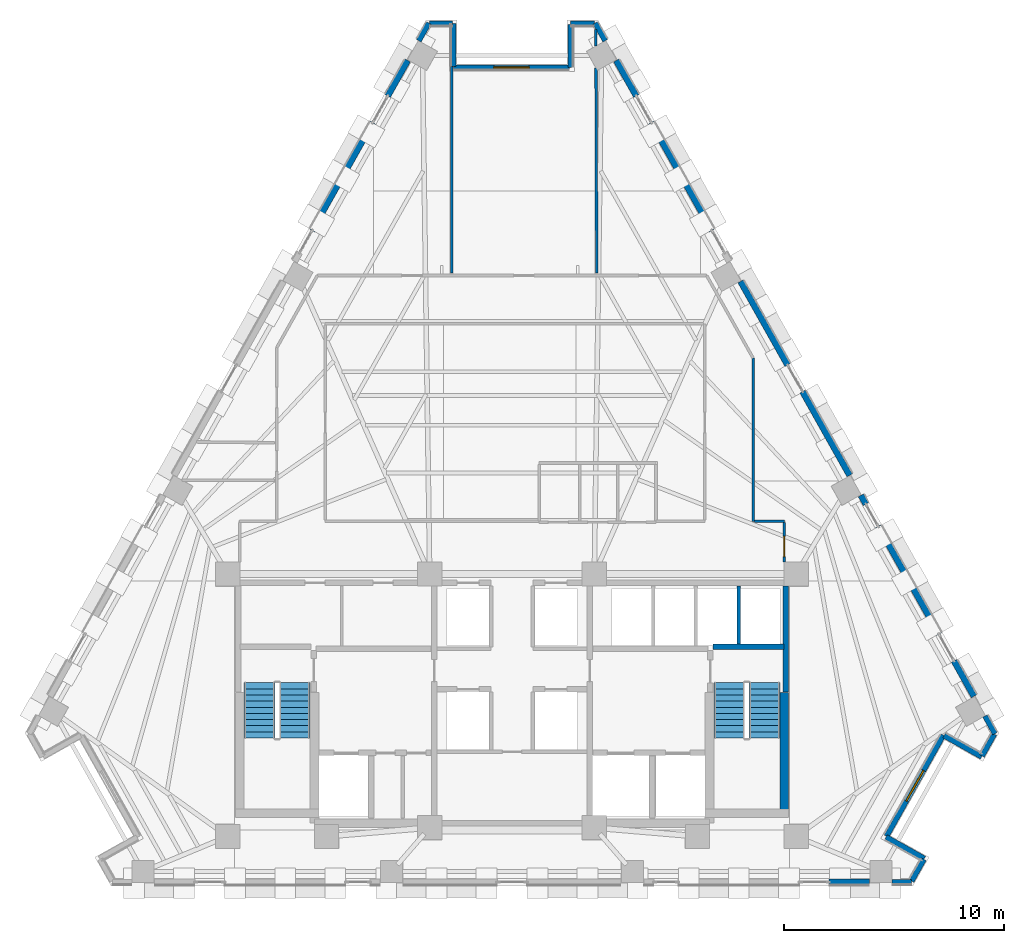
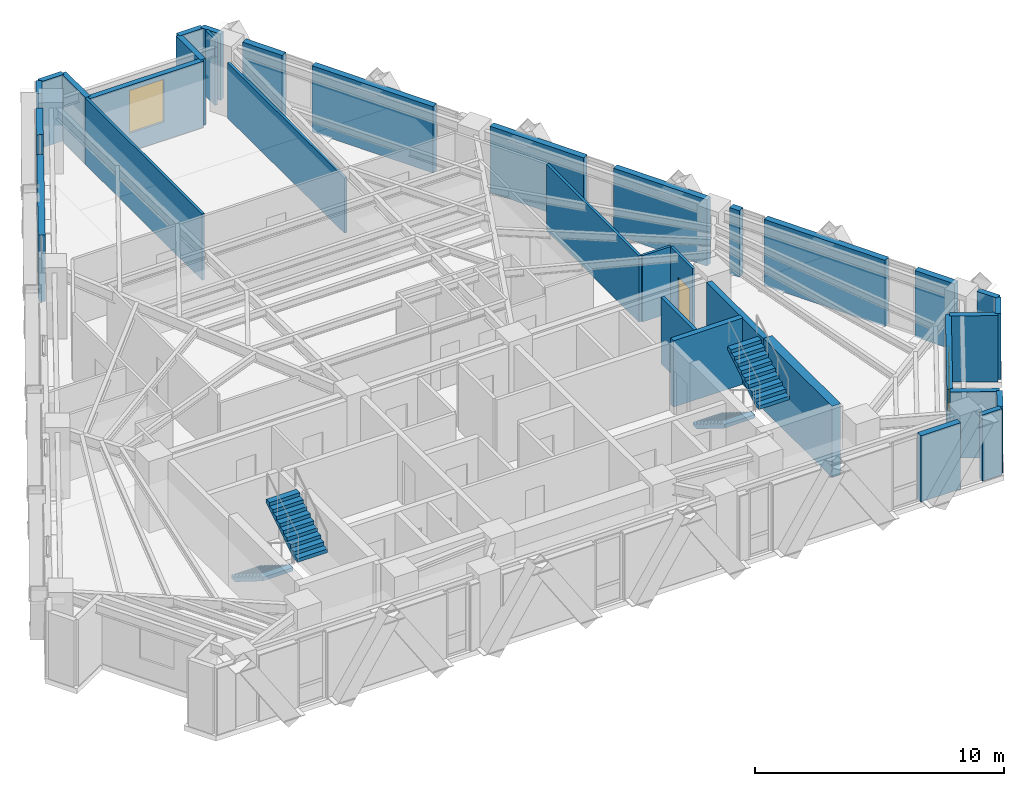
# One storey, part 9 of 13: 34 walls, 4 stair flights, 2 windows, 1 door, 3 openings, 2 elements without a shape of their own.
"""IFC4 building model written with IfcOpenShell, lengths in metres."""

from ifc_helpers import new_model, si_unit, direction, frame, frame_2d, origin, place, context, subcontext, project, spatial, polyline, rectangle, outline, extrude, material, layer, layer_set, type_object, element, fill, aggregate, save


model = new_model("IFC4")

# Units and contexts
model_context = context("Model", 3, precision=1e-05, world=origin(), true_north=direction((0.0, 1.0)))
body_context = subcontext(model_context, "Body", "Model", "MODEL_VIEW")
ifc_project = project(units=[si_unit("LENGTHUNIT", "METRE"), si_unit("AREAUNIT", "SQUARE_METRE"), si_unit("VOLUMEUNIT", "CUBIC_METRE"), si_unit("PLANEANGLEUNIT", "RADIAN"), si_unit("MASSUNIT", "GRAM", prefix="KILO")], contexts=[model_context])

# Site, building, storey
site_placement = place(None, origin())
site = spatial("IfcSite", under=ifc_project, at=site_placement, CompositionType="ELEMENT")
building_placement = place(site_placement, origin())
building = spatial("IfcBuilding", under=site, at=building_placement, Name="Quenlor Broadcast Tower", CompositionType="ELEMENT")
storey_placement = place(building_placement, frame((0.0, 0.0, 158.0)))
storey = spatial("IfcBuildingStorey", under=building, at=storey_placement, Name="L43", CompositionType="ELEMENT", Elevation=158.0)

# Walls
ifc_material_1 = material(Name="Concrete C50/60", Category="concrete")
ifc_layer_1 = layer(ifc_material_1, 0.39990234375)
ifc_layer_set_1 = layer_set([ifc_layer_1], Name="Core Concrete C50/60 Shear Wall 400")
wall_type_1 = type_object("IfcWallType", Name="Core Concrete C50/60 Shear Wall 400", PredefinedType="SHEAR", material=ifc_layer_set_1)
wall_1_placement = place(storey_placement, frame((12.39990234375, -15.699951171875, 0.0), z_axis=(0.0, 0.0, 1.0), x_axis=(0.0, 1.0, 0.0)))
element("IfcWall", 1, at=wall_1_placement, inside=storey, type_object=wall_type_1, Name="L43 Core Shear Wall WF-E", PredefinedType="SHEAR", context=body_context, shape_type="SweptSolid", body=[
    extrude(rectangle(XDim=5.5, YDim=0.39990234375, at=frame_2d((2.75, 0.0))), origin(), (0.0, 0.0, 1.0), 3.5),
])
ifc_material_2 = material(Name="Concrete C40/50", Category="concrete")
ifc_layer_2 = layer(ifc_material_2, 0.25)
ifc_layer_set_2 = layer_set([ifc_layer_2], Name="Fire Rated Concrete C40/50 Core Wall 250")
wall_type_2 = type_object("IfcWallType", Name="Fire Rated Concrete C40/50 Core Wall 250", PredefinedType="PARTITIONING", material=ifc_layer_set_2)
wall_2_placement = place(storey_placement, frame((9.159912109375, -8.1201171875, 0.0), z_axis=(0.0, 0.0, 1.0), x_axis=(1.0, 0.0, 0.0)))
element("IfcWall", 2, at=wall_2_placement, inside=storey, type_object=wall_type_2, Name="L43 Interior Wall CW-ST2-N", PredefinedType="PARTITIONING", context=body_context, shape_type="SweptSolid", body=[
    extrude(rectangle(XDim=3.219970703125, YDim=0.25, at=frame_2d((1.60986328125, 0.0))), origin(), (0.0, 0.0, 1.0), 3.25),
])
wall_3_placement = place(storey_placement, frame((12.47998046875, -10.179931640625, 0.0), z_axis=(0.0, 0.0, 1.0), x_axis=(0.0, 1.0, 0.0)))
element("IfcWall", 3, at=wall_3_placement, inside=storey, type_object=wall_type_2, Name="L43 Interior Wall CW-ST2-E2", PredefinedType="PARTITIONING", context=body_context, shape_type="SweptSolid", body=[
    extrude(rectangle(XDim=4.827880859375, YDim=0.25, at=frame_2d((2.4140625, 0.0))), origin(), (0.0, 0.0, 1.0), 3.25),
])
ifc_material_3 = material(Name="Gypsum Fireboard Partition", Category="other")
ifc_layer_3 = layer(ifc_material_3, 0.159912109375)
ifc_layer_set_3 = layer_set([ifc_layer_3], Name="Fire Rated Shaft and Corridor Partition 160")
wall_type_3 = type_object("IfcWallType", Name="Fire Rated Shaft and Corridor Partition 160", PredefinedType="PARTITIONING", material=ifc_layer_set_3)
wall_4_placement = place(storey_placement, frame((10.324951171875, -7.992919921875, 0.0), z_axis=(0.0, 0.0, 1.0), x_axis=(0.0, 1.0, 0.0)))
element("IfcWall", 4, at=wall_4_placement, inside=storey, type_object=wall_type_3, Name="L43 Interior Wall CW-PLH-D3", PredefinedType="PARTITIONING", context=body_context, shape_type="SweptSolid", body=[
    extrude(rectangle(XDim=2.65283203125, YDim=0.159912109375, at=frame_2d((1.326416015625, 0.0))), origin(), (0.0, 0.0, 1.0), 3.25),
])
ifc_material_4 = material(Name="Gypsum Plasterboard Partition", Category="other")
ifc_layer_4 = layer(ifc_material_4, 0.1201171875)
ifc_layer_set_4 = layer_set([ifc_layer_4], Name="Standard Office Partition 120")
wall_type_4 = type_object("IfcWallType", Name="Standard Office Partition 120", PredefinedType="PARTITIONING", material=ifc_layer_set_4)
wall_5_placement = place(storey_placement, frame((10.985107421875, 5.03369140625, 0.0), z_axis=(0.0, 0.0, 1.0), x_axis=(0.0, -1.0, 0.0)))
element("IfcWall", 5, at=wall_5_placement, inside=storey, type_object=wall_type_4, Name="L43 Interior Wall PW-CR-06", PredefinedType="PARTITIONING", context=body_context, shape_type="SweptSolid", body=[
    extrude(rectangle(XDim=7.43359375, YDim=0.1201171875, at=frame_2d((3.716796875, 0.0))), origin(), (0.0, 0.0, 1.0), 3.25),
])
wall_6_placement = place(storey_placement, frame((11.047119140625, -2.39990234375, 0.0), z_axis=(0.0, 0.0, 1.0), x_axis=(1.0, 0.0, 0.0)))
element("IfcWall", 6, at=wall_6_placement, inside=storey, type_object=wall_type_4, Name="L43 Interior Wall PW-CR-07", PredefinedType="PARTITIONING", context=body_context, shape_type="SweptSolid", body=[
    extrude(rectangle(XDim=1.36279296875, YDim=0.1201171875, at=frame_2d((0.681396484375, 0.0))), origin(), (0.0, 0.0, 1.0), 3.25),
])

# Wall, opening, door
wall_7_placement = place(storey_placement, frame((12.409912109375, -2.4619140625, 0.0), z_axis=(0.0, 0.0, 1.0), x_axis=(0.0, -1.0, 0.0)))
wall_7 = element("IfcWall", 7, at=wall_7_placement, inside=storey, type_object=wall_type_4, Name="L43 Interior Wall PW-CR-08", PredefinedType="PARTITIONING", context=body_context, shape_type="SweptSolid", body=[
    extrude(rectangle(XDim=1.7861328125, YDim=0.1201171875, at=frame_2d((0.89306640625, 0.0))), origin(), (0.0, 0.0, 1.0), 3.25),
])
opening_1_placement = place(wall_7_placement, frame((0.623046875, 0.0, 0.0)))
opening_1 = element("IfcOpeningElement", 8, at=opening_1_placement, cuts=wall_7, Name="Opening ID-1", PredefinedType="OPENING", context=body_context, shape_type="SweptSolid", body=[
    extrude(rectangle(XDim=0.919921875, YDim=2.1201171875, at=frame_2d((0.4599609375, 1.06005859375))), frame((0.0, 0.070068359375, 0.0), z_axis=(0.0, -1.0, 0.0), x_axis=(1.0, 0.0, 0.0)), (0.0, 0.0, 1.0), 0.14013671875),
])
ifc_material_5 = material(Name="Solid Core Timber Oak", Category="wood")
door_type = type_object("IfcDoorType", Name="Single Leaf Timber Office Door 920x2120", OperationType="NOTDEFINED", PredefinedType="DOOR", material=ifc_material_5)
door_placement = place(opening_1_placement, origin())
door = element("IfcDoor", 9, at=door_placement, inside=storey, type_object=door_type, Name="L43 Door DR-RM08", OperationType="SINGLE_SWING_RIGHT", OverallHeight=2.1201171875, OverallWidth=0.919921875, PredefinedType="DOOR", context=body_context, shape_type="SweptSolid", body=[
    extrude(rectangle(XDim=0.919921875, YDim=2.1201171875, at=frame_2d((0.4599609375, 1.06005859375))), frame((0.0, 0.02490234375, 0.0), z_axis=(0.0, -1.0, 0.0), x_axis=(1.0, 0.0, 0.0)), (0.0, 0.0, 1.0), 0.050048828125),
])
fill(opening_1, door)

# Walls
wall_8_placement = place(storey_placement, frame((-2.73779296875, 18.318115234375, 0.0), z_axis=(0.0, 0.0, 1.0), x_axis=(0.0, -1.0, 0.0)))
element("IfcWall", 10, at=wall_8_placement, inside=storey, type_object=wall_type_4, Name="L43 Interior Wall PW-DV-01", PredefinedType="PARTITIONING", context=body_context, shape_type="SweptSolid", body=[
    extrude(rectangle(XDim=9.408203125, YDim=0.1201171875, at=frame_2d((4.7041015625, 0.0))), origin(), (0.0, 0.0, 1.0), 3.25),
])
wall_9_placement = place(storey_placement, frame((3.8203125, 20.002685546875, 0.0), z_axis=(0.0, 0.0, 1.0), x_axis=(0.00358654361, -0.999993568332, 0.0)))
element("IfcWall", 11, at=wall_9_placement, inside=storey, type_object=wall_type_4, Name="L43 Interior Wall PW-DV-02", PredefinedType="PARTITIONING", context=body_context, shape_type="SweptSolid", body=[
    extrude(rectangle(XDim=0.748779296875, YDim=0.1201171875, at=frame_2d((0.37451171875, 0.0))), origin(), (0.0, 0.0, 1.0), 3.25),
])
wall_10_placement = place(storey_placement, frame((3.826416015625, 18.247802734375, 0.0), z_axis=(0.0, 0.0, 1.0), x_axis=(0.003529574333, -0.999993771033, 0.0)))
element("IfcWall", 12, at=wall_10_placement, inside=storey, type_object=wall_type_4, Name="L43 Interior Wall PW-DV-02S2", PredefinedType="PARTITIONING", context=body_context, shape_type="SweptSolid", body=[
    extrude(rectangle(XDim=9.337890625, YDim=0.1201171875, at=frame_2d((4.6689453125, 0.0))), origin(), (0.0, 0.0, 1.0), 2.717041015625),
])
ifc_material_6 = material(Name="Precast concrete C40/50", Category="concrete")
ifc_layer_5 = layer(ifc_material_6, 0.239990234375)
ifc_layer_set_5 = layer_set([ifc_layer_5], Name="Terrace Threshold Precast Concrete C40/50 Wall 240")
wall_type_5 = type_object("IfcWallType", Name="Terrace Threshold Precast Concrete C40/50 Wall 240", PredefinedType="STANDARD", material=ifc_layer_set_5)
wall_11_placement = place(storey_placement, frame((18.2099609375, -18.824951171875, 0.0), z_axis=(0.0, 0.0, 1.0), x_axis=(-1.0, 0.0, 0.0)))
element("IfcWall", 13, at=wall_11_placement, inside=storey, type_object=wall_type_5, Name="L43 Exterior Wall L43-SHD-SS0", PredefinedType="STANDARD", context=body_context, shape_type="SweptSolid", body=[
    extrude(rectangle(XDim=0.896484375, YDim=0.239990234375, at=frame_2d((0.4482421875, 0.0))), origin(), (0.0, 0.0, 1.0), 3.25),
])
wall_12_placement = place(storey_placement, frame((3.7919921875, 20.302001953125, 0.0), z_axis=(0.0, 0.0, 1.0), x_axis=(0.490048346303, -0.871695255399, 0.0)))
element("IfcWall", 14, at=wall_12_placement, inside=storey, type_object=wall_type_5, Name="L43 Exterior Wall L43-SHD-NES0", PredefinedType="STANDARD", context=body_context, shape_type="SweptSolid", body=[
    extrude(rectangle(XDim=0.925537109375, YDim=0.239990234375, at=frame_2d((0.462890625, 0.0))), origin(), (0.0, 0.0, 1.0), 3.25),
])
wall_13_placement = place(storey_placement, frame((21.54931640625, -11.2666015625, 0.0), z_axis=(0.0, 0.0, 1.0), x_axis=(0.490248718924, -0.871582579905, 0.0)))
element("IfcWall", 15, at=wall_13_placement, inside=storey, type_object=wall_type_5, Name="L43 Exterior Wall L43-SHD-NES1", PredefinedType="STANDARD", context=body_context, shape_type="SweptSolid", body=[
    extrude(rectangle(XDim=0.92578125, YDim=0.239990234375, at=frame_2d((0.462890625, 0.0))), origin(), (0.0, 0.0, 1.0), 3.25),
])
wall_14_placement = place(storey_placement, frame((-4.24560546875, 19.4951171875, 0.0), z_axis=(0.0, 0.0, 1.0), x_axis=(0.490048346303, 0.871695255399, 0.0)))
element("IfcWall", 16, at=wall_14_placement, inside=storey, type_object=wall_type_5, Name="L43 Exterior Wall L43-SHD-NWS1", PredefinedType="STANDARD", context=body_context, shape_type="SweptSolid", body=[
    extrude(rectangle(XDim=0.925537109375, YDim=0.239990234375, at=frame_2d((0.462890625, 0.0))), origin(), (0.0, 0.0, 1.0), 3.25),
])
wall_15_placement = place(storey_placement, frame((18.783935546875, -17.760009765625, 0.0), z_axis=(0.0, 0.0, 1.0), x_axis=(-0.871536415941, 0.49033078191, 0.0)))
element("IfcWall", 17, at=wall_15_placement, inside=storey, type_object=wall_type_5, Name="L43 Exterior Wall L43-CNR-01", PredefinedType="STANDARD", context=body_context, shape_type="SweptSolid", body=[
    extrude(rectangle(XDim=2.0, YDim=0.239990234375, at=frame_2d((1.0, 0.0))), origin(), (0.0, 0.0, 1.0), 3.25),
])

# Wall, opening, window
wall_16_placement = place(storey_placement, frame((17.060302734375, -16.744384765625, 0.0), z_axis=(0.0, 0.0, 1.0), x_axis=(0.490276606961, 0.871566892824, 0.0)))
wall_16 = element("IfcWall", 18, at=wall_16_placement, inside=storey, type_object=wall_type_5, Name="L43 Exterior Wall L43-CNR-02", PredefinedType="STANDARD", context=body_context, shape_type="SweptSolid", body=[
    extrude(rectangle(XDim=5.280029296875, YDim=0.239990234375, at=frame_2d((2.64013671875, 0.0))), origin(), (0.0, 0.0, 1.0), 3.25),
])
opening_2_placement = place(wall_16_placement, frame((1.840087890625, 0.0, 0.89990234375)))
opening_2 = element("IfcOpeningElement", 19, at=opening_2_placement, cuts=wall_16, Name="Opening WN-2", PredefinedType="OPENING", context=body_context, shape_type="SweptSolid", body=[
    extrude(rectangle(XDim=1.60009765625, YDim=2.10009765625, at=frame_2d((0.800048828125, 1.050048828125))), frame((0.0, 0.1298828125, 0.0), z_axis=(0.0, -1.0, 0.0), x_axis=(1.0, 0.0, 0.0)), (0.0, 0.0, 1.0), 0.260009765625),
])
ifc_material_7 = material(Name="Thermally Broken Aluminium and Low-E Glass", Category="aluminium")
window_type = type_object("IfcWindowType", Name="Tower Studio Punched Window 1600x2100", PartitioningType="SINGLE_PANEL", PredefinedType="WINDOW", material=ifc_material_7)
window_1_placement = place(opening_2_placement, origin())
window_1 = element("IfcWindow", 20, at=window_1_placement, inside=storey, type_object=window_type, Name="L43 Corner Chamfer Window 2", OverallHeight=2.10009765625, OverallWidth=1.60009765625, PartitioningType="SINGLE_PANEL", PredefinedType="WINDOW", context=body_context, shape_type="SweptSolid", body=[
    extrude(rectangle(XDim=1.60009765625, YDim=2.10009765625, at=frame_2d((0.800048828125, 1.050048828125))), frame((0.0, 0.030029296875, 0.0), z_axis=(0.0, -1.0, 0.0), x_axis=(1.0, 0.0, 0.0)), (0.0, 0.0, 1.0), 0.06005859375),
])
fill(opening_2, window_1)

# Walls
wall_17_placement = place(storey_placement, frame((19.683837890625, -12.162109375, 0.0), z_axis=(0.0, 0.0, 1.0), x_axis=(0.871512328312, -0.490373593906, 0.0)))
element("IfcWall", 21, at=wall_17_placement, inside=storey, type_object=wall_type_5, Name="L43 Exterior Wall L43-CNR-03", PredefinedType="STANDARD", context=body_context, shape_type="SweptSolid", body=[
    extrude(rectangle(XDim=1.960205078125, YDim=0.239990234375, at=frame_2d((0.97998046875, 0.0))), origin(), (0.0, 0.0, 1.0), 3.25),
])
wall_18_placement = place(storey_placement, frame((21.411865234375, -13.08837890625, 0.0), z_axis=(0.0, 0.0, 1.0), x_axis=(0.4900989379, 0.871666811958, 0.0)))
element("IfcWall", 22, at=wall_18_placement, inside=storey, type_object=wall_type_5, Name="L43 Exterior Wall L43-CNR-04", PredefinedType="STANDARD", context=body_context, shape_type="SweptSolid", body=[
    extrude(rectangle(XDim=1.142822265625, YDim=0.239990234375, at=frame_2d((0.5712890625, 0.0))), origin(), (0.0, 0.0, 1.0), 3.25),
])
wall_19_placement = place(storey_placement, frame((3.761474609375, 20.280029296875, 0.0), z_axis=(0.0, 0.0, 1.0), x_axis=(-1.0, 0.0, 0.0)))
element("IfcWall", 23, at=wall_19_placement, inside=storey, type_object=wall_type_5, Name="L43 Exterior Wall L43-CNR-06", PredefinedType="STANDARD", context=body_context, shape_type="SweptSolid", body=[
    extrude(rectangle(XDim=1.1015625, YDim=0.239990234375, at=frame_2d((0.55078125, 0.0))), origin(), (0.0, 0.0, 1.0), 3.25),
])
wall_20_placement = place(storey_placement, frame((2.659912109375, 20.239990234375, 0.0), z_axis=(0.0, 0.0, 1.0), x_axis=(0.0, -1.0, 0.0)))
element("IfcWall", 24, at=wall_20_placement, inside=storey, type_object=wall_type_5, Name="L43 Exterior Wall L43-CNR-07", PredefinedType="STANDARD", context=body_context, shape_type="SweptSolid", body=[
    extrude(rectangle(XDim=1.9599609375, YDim=0.239990234375, at=frame_2d((0.97998046875, 0.0))), origin(), (0.0, 0.0, 1.0), 3.25),
])

# Wall, opening, window
wall_21_placement = place(storey_placement, frame((2.6201171875, 18.280029296875, 0.0), z_axis=(0.0, 0.0, 1.0), x_axis=(-1.0, 0.0, 0.0)))
wall_21 = element("IfcWall", 25, at=wall_21_placement, inside=storey, type_object=wall_type_5, Name="L43 Exterior Wall L43-CNR-08", PredefinedType="STANDARD", context=body_context, shape_type="SweptSolid", body=[
    extrude(rectangle(XDim=5.280029296875, YDim=0.239990234375, at=frame_2d((2.64013671875, 0.0))), origin(), (0.0, 0.0, 1.0), 3.25),
])
opening_3_placement = place(wall_21_placement, frame((1.840087890625, 0.0, 0.89990234375)))
opening_3 = element("IfcOpeningElement", 26, at=opening_3_placement, cuts=wall_21, Name="Opening WN-2", PredefinedType="OPENING", context=body_context, shape_type="SweptSolid", body=[
    extrude(rectangle(XDim=1.60009765625, YDim=2.10009765625, at=frame_2d((0.800048828125, 1.050048828125))), frame((0.0, 0.1298828125, 0.0), z_axis=(0.0, -1.0, 0.0), x_axis=(1.0, 0.0, 0.0)), (0.0, 0.0, 1.0), 0.260009765625),
])
window_2_placement = place(opening_3_placement, origin())
window_2 = element("IfcWindow", 27, at=window_2_placement, inside=storey, type_object=window_type, Name="L43 Corner Chamfer Window 8", OverallHeight=2.10009765625, OverallWidth=1.60009765625, PartitioningType="SINGLE_PANEL", PredefinedType="WINDOW", context=body_context, shape_type="SweptSolid", body=[
    extrude(rectangle(XDim=1.60009765625, YDim=2.10009765625, at=frame_2d((0.800048828125, 1.050048828125))), frame((0.0, 0.030029296875, 0.0), z_axis=(0.0, -1.0, 0.0), x_axis=(1.0, 0.0, 0.0)), (0.0, 0.0, 1.0), 0.06005859375),
])
fill(opening_3, window_2)

# Walls
wall_22_placement = place(storey_placement, frame((-2.659912109375, 18.320068359375, 0.0), z_axis=(0.0, 0.0, 1.0), x_axis=(0.0, 1.0, 0.0)))
element("IfcWall", 28, at=wall_22_placement, inside=storey, type_object=wall_type_5, Name="L43 Exterior Wall L43-CNR-09", PredefinedType="STANDARD", context=body_context, shape_type="SweptSolid", body=[
    extrude(rectangle(XDim=1.9599609375, YDim=0.239990234375, at=frame_2d((0.97998046875, 0.0))), origin(), (0.0, 0.0, 1.0), 3.25),
])
wall_23_placement = place(storey_placement, frame((-2.699951171875, 20.280029296875, 0.0), z_axis=(0.0, 0.0, 1.0), x_axis=(-1.0, 0.0, 0.0)))
element("IfcWall", 29, at=wall_23_placement, inside=storey, type_object=wall_type_5, Name="L43 Exterior Wall L43-CNR-10", PredefinedType="STANDARD", context=body_context, shape_type="SweptSolid", body=[
    extrude(rectangle(XDim=1.0615234375, YDim=0.239990234375, at=frame_2d((0.53076171875, 0.0))), origin(), (0.0, 0.0, 1.0), 3.25),
])
wall_24_placement = place(storey_placement, frame((18.205810546875, -18.78759765625, 0.0), z_axis=(0.0, 0.0, 1.0), x_axis=(0.490403700594, 0.871495387506, 0.0)))
element("IfcWall", 30, at=wall_24_placement, inside=storey, type_object=wall_type_5, Name="L43 Exterior Wall L43-CNR-18", PredefinedType="STANDARD", context=body_context, shape_type="SweptSolid", body=[
    extrude(rectangle(XDim=1.13916015625, YDim=0.239990234375, at=frame_2d((0.569580078125, 0.0))), origin(), (0.0, 0.0, 1.0), 3.25),
])
ifc_material_8 = material(Name="Precast concrete C40/50", Category="concrete")
ifc_layer_6 = layer(ifc_material_8, 0.280029296875)
ifc_layer_set_6 = layer_set([ifc_layer_6], Name="Terracotta Precast Concrete C40/50 Facade Wall 280")
wall_type_6 = type_object("IfcWallType", Name="Terracotta Precast Concrete C40/50 Facade Wall 280", PredefinedType="STANDARD", material=ifc_layer_set_6)
wall_25_placement = place(storey_placement, frame((16.283447265625, -18.824951171875, 0.0), z_axis=(0.0, 0.0, 1.0), x_axis=(-1.0, 0.0, 0.0)))
element("IfcWall", 31, at=wall_25_placement, inside=storey, type_object=wall_type_6, Name="L43 Exterior Wall L43-SA-SP1", PredefinedType="STANDARD", context=body_context, shape_type="SweptSolid", body=[
    extrude(rectangle(XDim=1.83837890625, YDim=0.280029296875, at=frame_2d((0.919189453125, 0.0))), origin(), (0.0, 0.0, 1.0), 3.25),
])
wall_26_placement = place(storey_placement, frame((4.750732421875, 18.597412109375, 0.0), z_axis=(0.0, 0.0, 1.0), x_axis=(0.490248749158, -0.871582562899, 0.0)))
element("IfcWall", 32, at=wall_26_placement, inside=storey, type_object=wall_type_6, Name="L43 Exterior Wall L43-NEA-SP1", PredefinedType="STANDARD", context=body_context, shape_type="SweptSolid", body=[
    extrude(rectangle(XDim=1.85595703125, YDim=0.280029296875, at=frame_2d((0.927978515625, 0.0))), origin(), (0.0, 0.0, 1.0), 3.25),
])
wall_27_placement = place(storey_placement, frame((6.342041015625, 15.768310546875, 0.0), z_axis=(0.0, 0.0, 1.0), x_axis=(0.490289995219, -0.871559361483, 0.0)))
element("IfcWall", 33, at=wall_27_placement, inside=storey, type_object=wall_type_6, Name="L43 Exterior Wall L43-NEA-SP2", PredefinedType="STANDARD", context=body_context, shape_type="SweptSolid", body=[
    extrude(rectangle(XDim=5.643310546875, YDim=0.280029296875, at=frame_2d((2.82177734375, 0.0))), origin(), (0.0, 0.0, 1.0), 3.25),
])
wall_28_placement = place(storey_placement, frame((15.8955078125, -1.21533203125, 0.0), z_axis=(0.0, 0.0, 1.0), x_axis=(0.490009165718, -0.871717280724, 0.0)))
element("IfcWall", 34, at=wall_28_placement, inside=storey, type_object=wall_type_6, Name="L43 Exterior Wall L43-NEC-SP1", PredefinedType="STANDARD", context=body_context, shape_type="SweptSolid", body=[
    extrude(rectangle(XDim=0.4599609375, YDim=0.280029296875, at=frame_2d((0.22998046875, 0.0))), origin(), (0.0, 0.0, 1.0), 3.25),
])
wall_29_placement = place(storey_placement, frame((16.686279296875, -2.621337890625, 0.0), z_axis=(0.0, 0.0, 1.0), x_axis=(0.490238645956, -0.871588245682, 0.0)))
element("IfcWall", 35, at=wall_29_placement, inside=storey, type_object=wall_type_6, Name="L43 Exterior Wall L43-NEC-SP2", PredefinedType="STANDARD", context=body_context, shape_type="SweptSolid", body=[
    extrude(rectangle(XDim=5.643310546875, YDim=0.280029296875, at=frame_2d((2.82177734375, 0.0))), origin(), (0.0, 0.0, 1.0), 3.25),
])
wall_30_placement = place(storey_placement, frame((20.13427734375, -8.751220703125, 0.0), z_axis=(0.0, 0.0, 1.0), x_axis=(0.490248749158, -0.871582562899, 0.0)))
element("IfcWall", 36, at=wall_30_placement, inside=storey, type_object=wall_type_6, Name="L43 Exterior Wall L43-NEC-SP3", PredefinedType="STANDARD", context=body_context, shape_type="SweptSolid", body=[
    extrude(rectangle(XDim=1.85595703125, YDim=0.280029296875, at=frame_2d((0.927978515625, 0.0))), origin(), (0.0, 0.0, 1.0), 3.25),
])
wall_31_placement = place(storey_placement, frame((10.411865234375, 8.532958984375, 0.0), z_axis=(0.0, 0.0, 1.0), x_axis=(0.490274486291, -0.871568085747, 0.0)))
element("IfcWall", 37, at=wall_31_placement, inside=storey, type_object=wall_type_6, Name="L43 Exterior Wall L43-NE-SP1", PredefinedType="STANDARD", context=body_context, shape_type="SweptSolid", body=[
    extrude(rectangle(XDim=4.375244140625, YDim=0.280029296875, at=frame_2d((2.1875, 0.0))), origin(), (0.0, 0.0, 1.0), 3.25),
])
wall_32_placement = place(storey_placement, frame((13.23828125, 3.508544921875, 0.0), z_axis=(0.0, 0.0, 1.0), x_axis=(0.490232095789, -0.871591929895, 0.0)))
element("IfcWall", 38, at=wall_32_placement, inside=storey, type_object=wall_type_6, Name="L43 Exterior Wall L43-NE-SP2", PredefinedType="STANDARD", context=body_context, shape_type="SweptSolid", body=[
    extrude(rectangle(XDim=4.375, YDim=0.280029296875, at=frame_2d((2.1875, 0.0))), origin(), (0.0, 0.0, 1.0), 3.25),
])
wall_33_placement = place(storey_placement, frame((-9.10888671875, 10.849853515625, 0.0), z_axis=(0.0, 0.0, 1.0), x_axis=(0.490289995219, 0.871559361483, 0.0)))
element("IfcWall", 39, at=wall_33_placement, inside=storey, type_object=wall_type_6, Name="L43 Exterior Wall L43-NWC-SP2", PredefinedType="STANDARD", context=body_context, shape_type="SweptSolid", body=[
    extrude(rectangle(XDim=5.643310546875, YDim=0.280029296875, at=frame_2d((2.82177734375, 0.0))), origin(), (0.0, 0.0, 1.0), 3.25),
])
wall_34_placement = place(storey_placement, frame((-5.66064453125, 16.979736328125, 0.0), z_axis=(0.0, 0.0, 1.0), x_axis=(0.490248749158, 0.871582562899, 0.0)))
element("IfcWall", 40, at=wall_34_placement, inside=storey, type_object=wall_type_6, Name="L43 Exterior Wall L43-NWC-SP3", PredefinedType="STANDARD", context=body_context, shape_type="SweptSolid", body=[
    extrude(rectangle(XDim=1.85595703125, YDim=0.280029296875, at=frame_2d((0.927978515625, 0.0))), origin(), (0.0, 0.0, 1.0), 3.25),
])

# Stair, stair flights
ifc_material_9 = material(Name="Precast concrete C40/50", Category="concrete")
stair_type = type_object("IfcStairType", Name="Precast Concrete C40/50 Dogleg Stair H350", PredefinedType="HALF_TURN_STAIR", material=ifc_material_9)
stair_1_placement = place(storey_placement, origin())
stair_1 = element("IfcStair", 41, at=stair_1_placement, inside=storey, type_object=stair_type, Name="L43 West Core Fire-Isolated Exit Stair ST-1", PredefinedType="HALF_TURN_STAIR")
ifc_material_10 = material(Name="Precast concrete C40/50", Category="concrete")
ifc_layer_7 = layer(ifc_material_10, 0.159912109375)
ifc_layer_set_7 = layer_set([ifc_layer_7], Name="Precast Concrete C40/50 Stair Flight H350")
stair_flight_type = type_object("IfcStairFlightType", Name="Precast Concrete C40/50 Stair Flight H350", PredefinedType="STRAIGHT", material=ifc_layer_set_7)
stair_flight_1_placement = place(storey_placement, frame((-11.5, -9.75, 0.0), z_axis=(0.0, 0.0, 1.0), x_axis=(0.0, -1.0, 0.0)))
stair_flight_1 = element("IfcStairFlight", 42, at=stair_flight_1_placement, type_object=stair_flight_type, Name="ST-1 flight 1", NumberOfRisers=10, NumberOfTreads=9, PredefinedType="STRAIGHT", RiserHeight=0.175, TreadLength=0.28, context=body_context, shape_type="SweptSolid", body=[
    extrude(outline(polyline([(0.0, 0.0), (0.0, 0.175048828125), (0.280029296875, 0.175048828125), (0.280029296875, 0.35009765625), (0.56005859375, 0.35009765625), (0.56005859375, 0.52490234375), (0.840087890625, 0.52490234375), (0.840087890625, 0.699951171875), (1.1201171875, 0.699951171875), (1.1201171875, 0.875), (1.39990234375, 0.875), (1.39990234375, 1.050048828125), (1.679931640625, 1.050048828125), (1.679931640625, 1.22509765625), (1.9599609375, 1.22509765625), (1.9599609375, 1.39990234375), (2.239990234375, 1.39990234375), (2.239990234375, 1.574951171875), (2.52001953125, 1.574951171875), (2.52001953125, 1.75), (2.52001953125, 1.398193359375), (0.28271484375, 0.0), (0.0, 0.0)])), frame((0.0, 0.699951171875, 0.0), z_axis=(0.0, -1.0, 0.0), x_axis=(1.0, 0.0, 0.0)), (0.0, 0.0, 1.0), 1.39990234375),
])
stair_flight_2_placement = place(storey_placement, frame((-9.89990234375, -12.27001953125, 1.75), z_axis=(0.0, 0.0, 1.0), x_axis=(0.0, 1.0, 0.0)))
stair_flight_2 = element("IfcStairFlight", 43, at=stair_flight_2_placement, type_object=stair_flight_type, Name="ST-1 flight 2", NumberOfRisers=10, NumberOfTreads=9, PredefinedType="STRAIGHT", RiserHeight=0.175, TreadLength=0.28, context=body_context, shape_type="SweptSolid", body=[
    extrude(outline(polyline([(0.0, 0.0), (0.0, 0.175048828125), (0.280029296875, 0.175048828125), (0.280029296875, 0.35009765625), (0.56005859375, 0.35009765625), (0.56005859375, 0.52490234375), (0.840087890625, 0.52490234375), (0.840087890625, 0.699951171875), (1.1201171875, 0.699951171875), (1.1201171875, 0.875), (1.39990234375, 0.875), (1.39990234375, 1.050048828125), (1.679931640625, 1.050048828125), (1.679931640625, 1.22509765625), (1.9599609375, 1.22509765625), (1.9599609375, 1.39990234375), (2.239990234375, 1.39990234375), (2.239990234375, 1.574951171875), (2.52001953125, 1.574951171875), (2.52001953125, 1.75), (2.52001953125, 1.398193359375), (0.28271484375, 0.0), (0.0, 0.0)])), frame((0.0, 0.699951171875, 0.0), z_axis=(0.0, -1.0, 0.0), x_axis=(1.0, 0.0, 0.0)), (0.0, 0.0, 1.0), 1.39990234375),
])
aggregate(stair_1, [stair_flight_1, stair_flight_2])

stair_2_placement = place(storey_placement, origin())
stair_2 = element("IfcStair", 44, at=stair_2_placement, inside=storey, type_object=stair_type, Name="L43 East Core Fire-Isolated Exit Stair ST-2", PredefinedType="HALF_TURN_STAIR")
stair_flight_3_placement = place(storey_placement, frame((9.89990234375, -9.75, 0.0), z_axis=(0.0, 0.0, 1.0), x_axis=(0.0, -1.0, 0.0)))
stair_flight_3 = element("IfcStairFlight", 45, at=stair_flight_3_placement, type_object=stair_flight_type, Name="ST-2 flight 1", NumberOfRisers=10, NumberOfTreads=9, PredefinedType="STRAIGHT", RiserHeight=0.175, TreadLength=0.28, context=body_context, shape_type="SweptSolid", body=[
    extrude(outline(polyline([(0.0, 0.0), (0.0, 0.175048828125), (0.280029296875, 0.175048828125), (0.280029296875, 0.35009765625), (0.56005859375, 0.35009765625), (0.56005859375, 0.52490234375), (0.840087890625, 0.52490234375), (0.840087890625, 0.699951171875), (1.1201171875, 0.699951171875), (1.1201171875, 0.875), (1.39990234375, 0.875), (1.39990234375, 1.050048828125), (1.679931640625, 1.050048828125), (1.679931640625, 1.22509765625), (1.9599609375, 1.22509765625), (1.9599609375, 1.39990234375), (2.239990234375, 1.39990234375), (2.239990234375, 1.574951171875), (2.52001953125, 1.574951171875), (2.52001953125, 1.75), (2.52001953125, 1.398193359375), (0.28271484375, 0.0), (0.0, 0.0)])), frame((0.0, 0.699951171875, 0.0), z_axis=(0.0, -1.0, 0.0), x_axis=(1.0, 0.0, 0.0)), (0.0, 0.0, 1.0), 1.39990234375),
])
stair_flight_4_placement = place(storey_placement, frame((11.5, -12.27001953125, 1.75), z_axis=(0.0, 0.0, 1.0), x_axis=(0.0, 1.0, 0.0)))
stair_flight_4 = element("IfcStairFlight", 46, at=stair_flight_4_placement, type_object=stair_flight_type, Name="ST-2 flight 2", NumberOfRisers=10, NumberOfTreads=9, PredefinedType="STRAIGHT", RiserHeight=0.175, TreadLength=0.28, context=body_context, shape_type="SweptSolid", body=[
    extrude(outline(polyline([(0.0, 0.0), (0.0, 0.175048828125), (0.280029296875, 0.175048828125), (0.280029296875, 0.35009765625), (0.56005859375, 0.35009765625), (0.56005859375, 0.52490234375), (0.840087890625, 0.52490234375), (0.840087890625, 0.699951171875), (1.1201171875, 0.699951171875), (1.1201171875, 0.875), (1.39990234375, 0.875), (1.39990234375, 1.050048828125), (1.679931640625, 1.050048828125), (1.679931640625, 1.22509765625), (1.9599609375, 1.22509765625), (1.9599609375, 1.39990234375), (2.239990234375, 1.39990234375), (2.239990234375, 1.574951171875), (2.52001953125, 1.574951171875), (2.52001953125, 1.75), (2.52001953125, 1.398193359375), (0.28271484375, 0.0), (0.0, 0.0)])), frame((0.0, 0.699951171875, 0.0), z_axis=(0.0, -1.0, 0.0), x_axis=(1.0, 0.0, 0.0)), (0.0, 0.0, 1.0), 1.39990234375),
])
aggregate(stair_2, [stair_flight_3, stair_flight_4])

save(model, "model.ifc")
